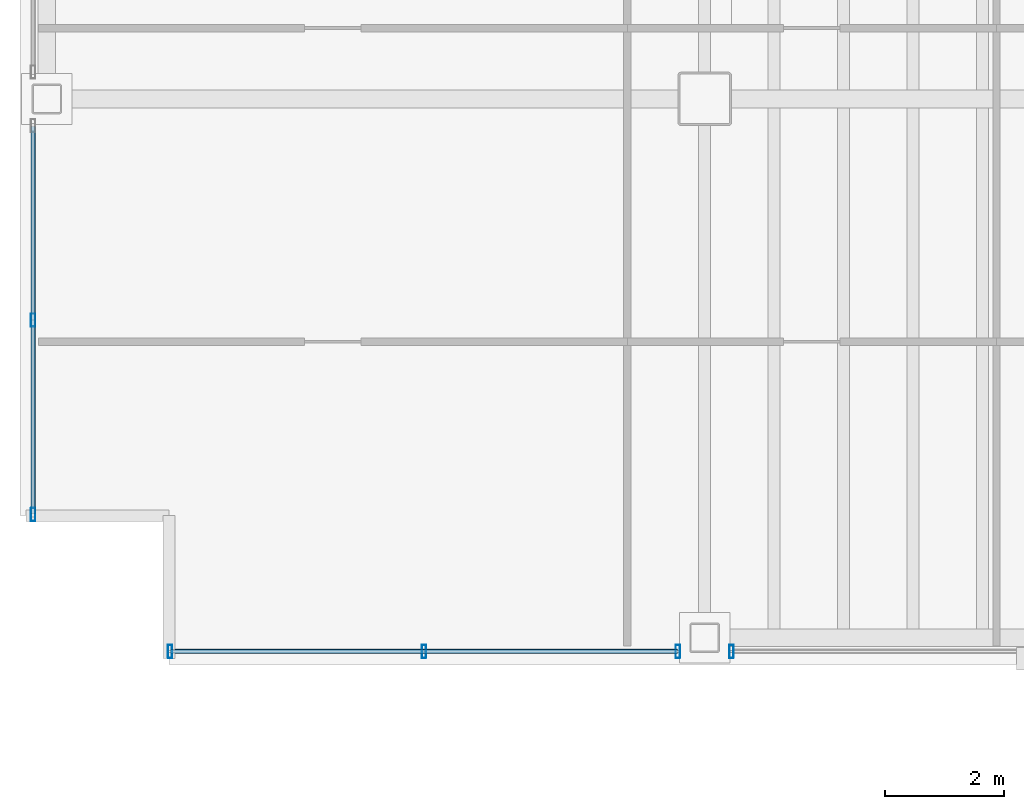
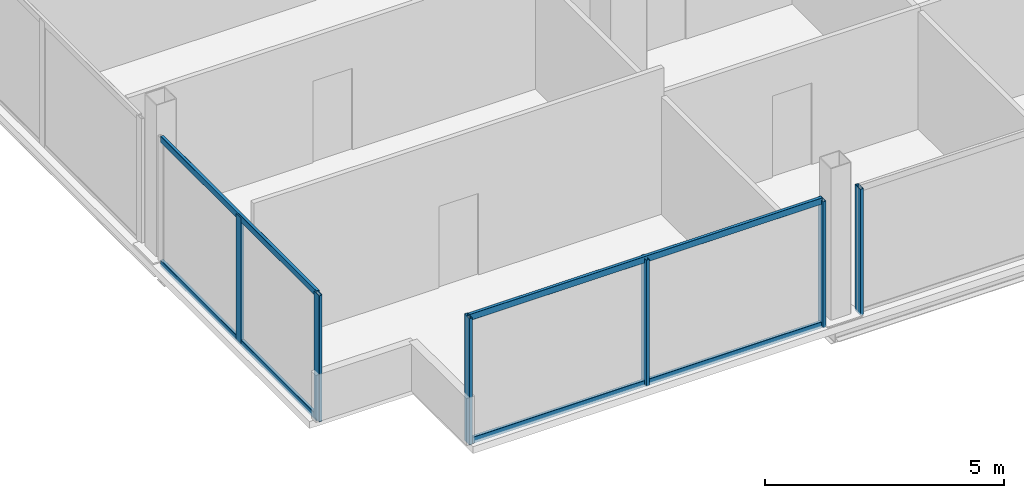
# One storey, part 2 of 22: 10 members, 3 elements without a shape of their own.
"""IFC4 building model written with IfcOpenShell, lengths in metres."""

from ifc_helpers import new_model, si_unit, direction, frame, origin, origin_2d, place, context, subcontext, project, spatial, hollow_rectangle, extrude, material, material_profile, profile_set, type_object, element, aggregate, save


model = new_model("IFC4")

# Units and contexts
model_context = context("Model", 3, precision=1e-05, world=origin(), true_north=direction((0.0, 1.0)))
body_context = subcontext(model_context, "Body", "Model", "MODEL_VIEW")
ifc_project = project(units=[si_unit("LENGTHUNIT", "METRE"), si_unit("AREAUNIT", "SQUARE_METRE"), si_unit("VOLUMEUNIT", "CUBIC_METRE"), si_unit("PLANEANGLEUNIT", "RADIAN"), si_unit("MASSUNIT", "GRAM", prefix="KILO")], contexts=[model_context])

# Site, building, storey
site_placement = place(None, origin())
site = spatial("IfcSite", under=ifc_project, at=site_placement, CompositionType="ELEMENT")
building_placement = place(site_placement, origin())
building = spatial("IfcBuilding", under=site, at=building_placement, Name="Noeulbin Bourse Tower", CompositionType="ELEMENT")
storey_placement = place(building_placement, frame((0.0, 0.0, 134.39990234375)))
storey = spatial("IfcBuildingStorey", under=building, at=storey_placement, Name="L33", CompositionType="ELEMENT", Elevation=134.39990234375)

# Curtain wall, members
ifc_material_1 = material(Name="Dark Tinted Triple Glazing", Category="glass")
curtain_wall_type = type_object("IfcCurtainWallType", Name="CW-SYS-3", PredefinedType="NOTDEFINED", material=ifc_material_1)
curtain_wall_1_placement = place(storey_placement, origin())
curtain_wall_1 = element("IfcCurtainWall", 1, at=curtain_wall_1_placement, inside=storey, type_object=curtain_wall_type, Name="Unitised Curtain Wall CW-L33-S1-S1", PredefinedType="NOTDEFINED")
ifc_material_2 = material(Name="Anodised Aluminium 6063-T6", Category="aluminium")
ifc_material_profile_1 = material_profile(ifc_material_2, hollow_rectangle(XDim=0.074951171875, YDim=0.219970703125, WallThickness=0.0048828125, InnerFilletRadius=0.00244140625, OuterFilletRadius=0.0048828125, at=origin_2d()), Name="ALU-MULL-75x220x5", Category="LoadBearing")
ifc_profile_set_1 = profile_set([ifc_material_profile_1], Name="Anodised Aluminium 6063-T6")
member_type_1 = type_object("IfcMemberType", Name="CW-SYS-3-MUL", PredefinedType="MULLION", material=ifc_profile_set_1)
member_1_placement = place(storey_placement, frame((4.52001953125, 10.719970703125, -0.02001953125), z_axis=(0.0, 0.0, 1.0), x_axis=(1.0, 0.0, 0.0)))
member_1 = element("IfcMember", 2, at=member_1_placement, type_object=member_type_1, Name="Curtain Wall Mullion CW-L33-S1-S1-M00", PredefinedType="MULLION", context=body_context, shape_type="SweptSolid", body=[
    extrude(hollow_rectangle(XDim=0.074951171875, YDim=0.219970703125, WallThickness=0.0048828125, InnerFilletRadius=0.00244140625, OuterFilletRadius=0.0048828125, at=origin_2d()), origin(), (0.0, 0.0, 1.0), 3.22021484375),
])
member_2_placement = place(storey_placement, frame((8.784912109375, 10.719970703125, -0.02001953125), z_axis=(0.0, 0.0, 1.0), x_axis=(1.0, 0.0, 0.0)))
member_2 = element("IfcMember", 3, at=member_2_placement, type_object=member_type_1, Name="Curtain Wall Mullion CW-L33-S1-S1-M01", PredefinedType="MULLION", context=body_context, shape_type="SweptSolid", body=[
    extrude(hollow_rectangle(XDim=0.074951171875, YDim=0.219970703125, WallThickness=0.0048828125, InnerFilletRadius=0.00244140625, OuterFilletRadius=0.0048828125, at=origin_2d()), origin(), (0.0, 0.0, 1.0), 3.22021484375),
])
member_3_placement = place(storey_placement, frame((13.050048828125, 10.719970703125, -0.02001953125), z_axis=(0.0, 0.0, 1.0), x_axis=(1.0, 0.0, 0.0)))
member_3 = element("IfcMember", 4, at=member_3_placement, type_object=member_type_1, Name="Curtain Wall Mullion CW-L33-S1-S1-M02", PredefinedType="MULLION", context=body_context, shape_type="SweptSolid", body=[
    extrude(hollow_rectangle(XDim=0.074951171875, YDim=0.219970703125, WallThickness=0.0048828125, InnerFilletRadius=0.00244140625, OuterFilletRadius=0.0048828125, at=origin_2d()), origin(), (0.0, 0.0, 1.0), 3.22021484375),
])

# Curtain wall, member
curtain_wall_2_placement = place(storey_placement, origin())
curtain_wall_2 = element("IfcCurtainWall", 5, at=curtain_wall_2_placement, inside=storey, type_object=curtain_wall_type, Name="Unitised Curtain Wall CW-L33-S1-S2", PredefinedType="NOTDEFINED")
member_4_placement = place(storey_placement, frame((13.949951171875, 10.719970703125, -0.02001953125), z_axis=(0.0, 0.0, 1.0), x_axis=(1.0, 0.0, 0.0)))
member_4 = element("IfcMember", 6, at=member_4_placement, type_object=member_type_1, Name="Curtain Wall Mullion CW-L33-S1-S2-M00", PredefinedType="MULLION", context=body_context, shape_type="SweptSolid", body=[
    extrude(hollow_rectangle(XDim=0.074951171875, YDim=0.219970703125, WallThickness=0.0048828125, InnerFilletRadius=0.00244140625, OuterFilletRadius=0.0048828125, at=origin_2d()), origin(), (0.0, 0.0, 1.0), 3.22021484375),
])
aggregate(curtain_wall_2, [member_4])

# Curtain wall, members
curtain_wall_3_placement = place(storey_placement, origin())
curtain_wall_3 = element("IfcCurtainWall", 7, at=curtain_wall_3_placement, inside=storey, type_object=curtain_wall_type, Name="Unitised Curtain Wall CW-L33-W-S1", PredefinedType="NOTDEFINED")
member_5_placement = place(storey_placement, frame((2.219970703125, 13.02001953125, -0.02001953125), z_axis=(0.0, 0.0, 1.0), x_axis=(1.0, 0.0, 0.0)))
member_5 = element("IfcMember", 8, at=member_5_placement, type_object=member_type_1, Name="Curtain Wall Mullion CW-L33-W-S1-M00", PredefinedType="MULLION", context=body_context, shape_type="SweptSolid", body=[
    extrude(hollow_rectangle(XDim=0.074951171875, YDim=0.219970703125, WallThickness=0.0048828125, InnerFilletRadius=0.00244140625, OuterFilletRadius=0.0048828125, at=origin_2d()), origin(), (0.0, 0.0, 1.0), 3.22021484375),
])
member_6_placement = place(storey_placement, frame((2.219970703125, 16.284912109375, -0.02001953125), z_axis=(0.0, 0.0, 1.0), x_axis=(1.0, 0.0, 0.0)))
member_6 = element("IfcMember", 9, at=member_6_placement, type_object=member_type_1, Name="Curtain Wall Mullion CW-L33-W-S1-M01", PredefinedType="MULLION", context=body_context, shape_type="SweptSolid", body=[
    extrude(hollow_rectangle(XDim=0.074951171875, YDim=0.219970703125, WallThickness=0.0048828125, InnerFilletRadius=0.00244140625, OuterFilletRadius=0.0048828125, at=origin_2d()), origin(), (0.0, 0.0, 1.0), 3.22021484375),
])

# Member
ifc_material_profile_2 = material_profile(ifc_material_2, hollow_rectangle(XDim=0.074951171875, YDim=0.159912109375, WallThickness=0.0048828125, InnerFilletRadius=0.00244140625, OuterFilletRadius=0.0048828125, at=origin_2d()), Name="ALU-TRAN-75x160x5", Category="LoadBearing")
ifc_profile_set_2 = profile_set([ifc_material_profile_2], Name="Anodised Aluminium 6063-T6")
member_type_2 = type_object("IfcMemberType", Name="CW-SYS-3-TRN", PredefinedType="USERDEFINED", material=ifc_profile_set_2)
member_7_placement = place(storey_placement, frame((4.530029296875, 10.719970703125, 0.010009765625), z_axis=(1.0, 0.0, 0.0), x_axis=(0.0, 1.0, 0.0)))
member_7 = element("IfcMember", 10, at=member_7_placement, type_object=member_type_2, Name="Curtain Wall Transom CW-L33-S1-S1-T00", ObjectType="TRANSOM", PredefinedType="USERDEFINED", context=body_context, shape_type="SweptSolid", body=[
    extrude(hollow_rectangle(XDim=0.074951171875, YDim=0.159912109375, WallThickness=0.0048828125, InnerFilletRadius=0.00244140625, OuterFilletRadius=0.0048828125, at=origin_2d()), origin(), (0.0, 0.0, 1.0), 8.510009765625),
])

member_8_placement = place(storey_placement, frame((4.530029296875, 10.719970703125, 3.170166015625), z_axis=(1.0, 0.0, 0.0), x_axis=(0.0, 1.0, 0.0)))
member_8 = element("IfcMember", 11, at=member_8_placement, type_object=member_type_2, Name="Curtain Wall Transom CW-L33-S1-S1-T01", ObjectType="TRANSOM", PredefinedType="USERDEFINED", context=body_context, shape_type="SweptSolid", body=[
    extrude(hollow_rectangle(XDim=0.074951171875, YDim=0.159912109375, WallThickness=0.0048828125, InnerFilletRadius=0.00244140625, OuterFilletRadius=0.0048828125, at=origin_2d()), origin(), (0.0, 0.0, 1.0), 8.510009765625),
])

aggregate(curtain_wall_1, [member_1, member_2, member_3, member_7, member_8])

member_9_placement = place(storey_placement, frame((2.219970703125, 13.030029296875, 0.010009765625), z_axis=(0.0, 1.0, 0.0), x_axis=(-1.0, 0.0, 0.0)))
member_9 = element("IfcMember", 12, at=member_9_placement, type_object=member_type_2, Name="Curtain Wall Transom CW-L33-W-S1-T00", ObjectType="TRANSOM", PredefinedType="USERDEFINED", context=body_context, shape_type="SweptSolid", body=[
    extrude(hollow_rectangle(XDim=0.074951171875, YDim=0.159912109375, WallThickness=0.0048828125, InnerFilletRadius=0.00244140625, OuterFilletRadius=0.0048828125, at=origin_2d()), origin(), (0.0, 0.0, 1.0), 6.510009765625),
])

member_10_placement = place(storey_placement, frame((2.219970703125, 13.030029296875, 3.170166015625), z_axis=(0.0, 1.0, 0.0), x_axis=(-1.0, 0.0, 0.0)))
member_10 = element("IfcMember", 13, at=member_10_placement, type_object=member_type_2, Name="Curtain Wall Transom CW-L33-W-S1-T01", ObjectType="TRANSOM", PredefinedType="USERDEFINED", context=body_context, shape_type="SweptSolid", body=[
    extrude(hollow_rectangle(XDim=0.074951171875, YDim=0.159912109375, WallThickness=0.0048828125, InnerFilletRadius=0.00244140625, OuterFilletRadius=0.0048828125, at=origin_2d()), origin(), (0.0, 0.0, 1.0), 6.510009765625),
])

aggregate(curtain_wall_3, [member_5, member_6, member_9, member_10])

save(model, "model.ifc")
